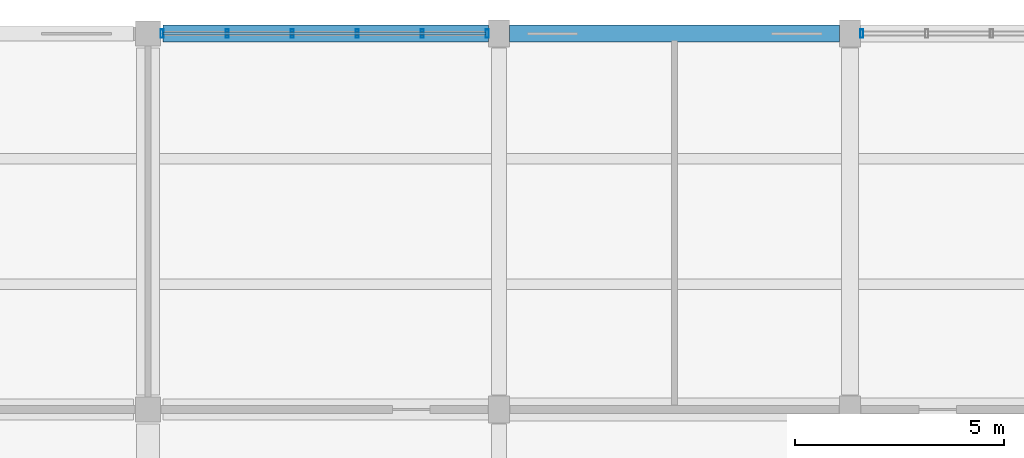
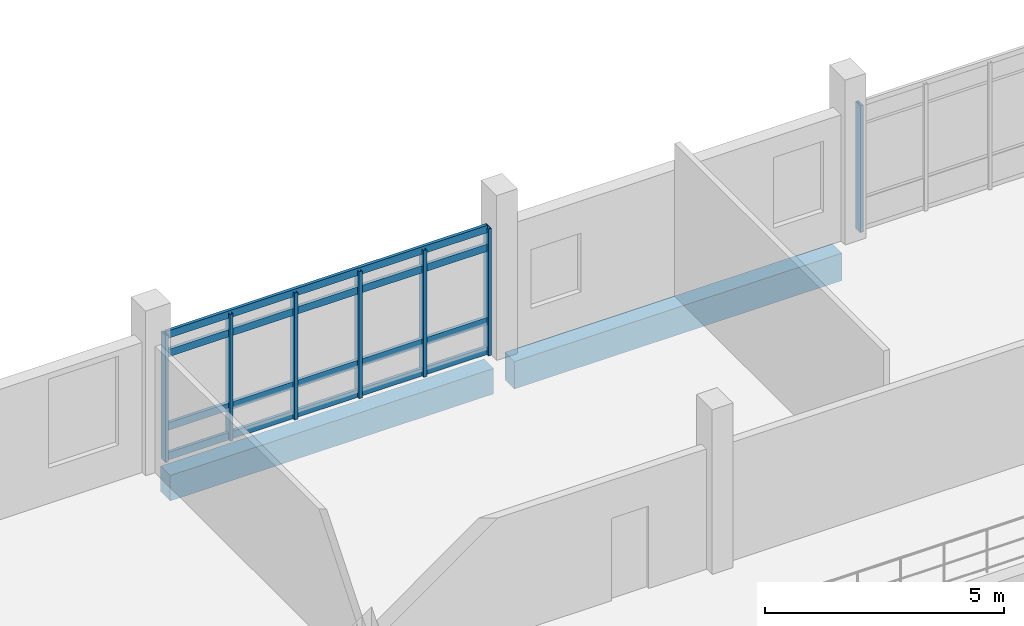
# One storey, part 61 of 101: 11 members, 2 beams, 2 elements without a shape of their own.
"""IFC4 building model written with IfcOpenShell, lengths in metres."""

import ifcopenshell
import ifcopenshell.guid

model = None  # the IFC model being written
_history = None  # IfcOwnerHistory: only IFC2X3 demands one
_inside = {}  # id of a spatial element -> (the spatial element, [elements in it])
_under = {}  # id of a project, library or spatial element -> (it, [spatial elements below it])
_declared = {}  # id of a project -> (the project, [libraries it declares])
_typed = {}  # id of a type object -> (the type object, [elements of that type])
_made_of = {}  # id of a material, layer set ... -> (it, [elements and type objects made of it])


def new_model(schema):
    """Start an empty IFC model of exactly this schema.

    Asked for "IFC4X3", IfcOpenShell would pick the latest addendum, in which some entities
    have other attributes; the version numbers below select the first issue.
    IFC2X3 requires an IfcOwnerHistory on every rooted entity: one is made here for all.
    """
    global model, _history
    if schema == "IFC4X3":
        model = ifcopenshell.file(schema_version=(4, 3, 0, 0))
    else:
        model = ifcopenshell.file(schema=schema)
    _inside.clear()
    _under.clear()
    _declared.clear()
    _typed.clear()
    _made_of.clear()
    _history = None
    if model.schema == "IFC2X3":
        org = make("IfcOrganization", Name="unknown")
        user = make(
            "IfcPersonAndOrganization",
            ThePerson=make("IfcPerson", FamilyName="unknown"),
            TheOrganization=org,
        )
        app = make(
            "IfcApplication",
            ApplicationDeveloper=org,
            Version="unknown",
            ApplicationFullName="unknown",
            ApplicationIdentifier="unknown",
        )
        _history = make(
            "IfcOwnerHistory",
            OwningUser=user,
            OwningApplication=app,
            ChangeAction="ADDED",
            CreationDate=0,
        )
    return model


def make(cls, **values):
    """One entity of the class cls with the attributes given. An attribute that is None is left unset."""
    return model.create_entity(
        cls, **{name: value for name, value in values.items() if value is not None}
    )


def rooted(cls, **values):
    """An entity with a GlobalId (a new one), such as an element, a storey or a relation."""
    return make(cls, GlobalId=ifcopenshell.guid.new(), OwnerHistory=_history, **values)


def si_unit(unit_type, name, prefix=None):
    """IfcSIUnit, for example si_unit("LENGTHUNIT", "METRE", prefix="MILLI")."""
    return make("IfcSIUnit", UnitType=unit_type, Prefix=prefix, Name=name)


def assignment(units):
    """IfcUnitAssignment: the units of a project."""
    return None if units is None else make("IfcUnitAssignment", Units=units)


def point(xyz):
    """IfcCartesianPoint."""
    return None if xyz is None else make("IfcCartesianPoint", Coordinates=xyz)


def direction(xyz):
    """IfcDirection."""
    return None if xyz is None else make("IfcDirection", DirectionRatios=xyz)


def frame(location, z_axis=None, x_axis=None):
    """IfcAxis2Placement3D, a coordinate frame: its origin and axes. An axis left out is left unset."""
    return make(
        "IfcAxis2Placement3D",
        Location=point(location),
        Axis=direction(z_axis),
        RefDirection=direction(x_axis),
    )


def frame_2d(location, x_axis=None):
    """IfcAxis2Placement2D, a coordinate frame in the plane: its origin and x axis."""
    return make(
        "IfcAxis2Placement2D", Location=point(location), RefDirection=direction(x_axis)
    )


def origin():
    """The frame at (0, 0, 0) with its axes left unset."""
    return frame((0.0, 0.0, 0.0))


def origin_2d():
    """The frame at (0, 0) in the plane with its x axis left unset."""
    return frame_2d((0.0, 0.0))


def place(relative_to, where):
    """IfcLocalPlacement: puts the frame where relative to a parent placement (None: the world)."""
    return make(
        "IfcLocalPlacement", PlacementRelTo=relative_to, RelativePlacement=where
    )


def context(
    kind, dimensions, precision=None, world=None, true_north=None, identifier=None
):
    """IfcGeometricRepresentationContext, for example the 3D "Model" context."""
    return make(
        "IfcGeometricRepresentationContext",
        ContextIdentifier=identifier,
        ContextType=kind,
        CoordinateSpaceDimension=dimensions,
        Precision=precision,
        WorldCoordinateSystem=world,
        TrueNorth=true_north,
    )


def subcontext(parent, identifier, kind, view, scale=None):
    """IfcGeometricRepresentationSubContext, for example "Body" below "Model"."""
    return make(
        "IfcGeometricRepresentationSubContext",
        ContextIdentifier=identifier,
        ContextType=kind,
        ParentContext=parent,
        TargetScale=scale,
        TargetView=view,
    )


def project(units=None, contexts=None):
    """IfcProject with its units and contexts."""
    return rooted(
        "IfcProject",
        Name="project",
        RepresentationContexts=contexts,
        UnitsInContext=assignment(units),
    )


def spatial(cls, under=None, at=None, **own):
    """A site, building, storey or space (cls), placed at a placement, below another one or the project."""
    s = rooted(cls, ObjectPlacement=at, **own)
    if under is not None:
        _under.setdefault(under.id(), (under, []))[1].append(s)
    return s


def profile(cls, at=None, kind="AREA", **sizes):
    """A parametric profile (cls). Its sizes go by their IFC names, for example OverallWidth=200.0."""
    return make(cls, ProfileType=kind, Position=at, **sizes)


def rectangle(**sizes):
    """IfcRectangleProfileDef."""
    return profile("IfcRectangleProfileDef", **sizes)


def hollow_rectangle(**sizes):
    """IfcRectangleHollowProfileDef."""
    return profile("IfcRectangleHollowProfileDef", **sizes)


def extrude(swept, where, along, depth):
    """IfcExtrudedAreaSolid: the profile swept, set in the frame where, extruded along a direction by depth."""
    return make(
        "IfcExtrudedAreaSolid",
        SweptArea=swept,
        Position=where,
        ExtrudedDirection=direction(along),
        Depth=depth,
    )


def shape(context_of_items, identifier, shape_type, items):
    """IfcShapeRepresentation: the items that make up one representation, for example the "Body"."""
    return make(
        "IfcShapeRepresentation",
        ContextOfItems=context_of_items,
        RepresentationIdentifier=identifier,
        RepresentationType=shape_type,
        Items=items,
    )


def material(Name=None, Category=None):
    """IfcMaterial."""
    return make("IfcMaterial", Name=Name, Category=Category)


def layer(
    of_material, thickness, ventilated=None, Name=None, Category=None, Priority=None
):
    """IfcMaterialLayer: one layer of a wall or slab, of a material (None: an air gap)."""
    return make(
        "IfcMaterialLayer",
        Material=of_material,
        LayerThickness=thickness,
        IsVentilated=ventilated,
        Name=Name,
        Category=Category,
        Priority=Priority,
    )


def layer_set(layers, Name=None):
    """IfcMaterialLayerSet."""
    return make("IfcMaterialLayerSet", MaterialLayers=layers, LayerSetName=Name)


def material_profile(
    of_material, cross_section, Name=None, Category=None, Priority=None
):
    """IfcMaterialProfile: a cross section and its material."""
    return make(
        "IfcMaterialProfile",
        Name=Name,
        Material=of_material,
        Profile=cross_section,
        Priority=Priority,
        Category=Category,
    )


def profile_set(profiles, Name=None, composite=None):
    """IfcMaterialProfileSet."""
    return make(
        "IfcMaterialProfileSet",
        Name=Name,
        MaterialProfiles=profiles,
        CompositeProfile=composite,
    )


def made_of(thing, what):
    """Note that an element or type object is made of a material, layer set ...; save() writes the relation."""
    if what is not None:
        _made_of.setdefault(what.id(), (what, []))[1].append(thing)
    return thing


def type_object(cls, material=None, **own):
    """A type object (cls), such as IfcWallType, which elements share."""
    return made_of(rooted(cls, **own), material)


def element(
    cls,
    number,
    at=None,
    inside=None,
    cuts=None,
    type_object=None,
    material=None,
    context=None,
    identifier="Body",
    shape_type=None,
    held_by="IfcProductDefinitionShape",
    body=None,
    shapes=None,
    **own,
):
    """One element of the class cls, such as IfcWall. Its Tag is "e" and its number.

    at: its placement. inside: the storey or other place that contains it. cuts: it is an
    opening in that element (IfcRelVoidsElement). A single representation is given by context,
    identifier, shape_type and body (its items); several are given by shapes. held_by: the class
    of the entity that holds the representations. save() writes the other relations.
    """
    e = rooted(cls, Tag="e%d" % number, ObjectPlacement=at, **own)
    if body is not None:
        shapes = [shape(context, identifier, shape_type, body)]
    if shapes is not None:
        e.Representation = make(held_by, Representations=shapes)
    if inside is not None:
        _inside.setdefault(inside.id(), (inside, []))[1].append(e)
    if cuts is not None:
        rooted(
            "IfcRelVoidsElement", RelatingBuildingElement=cuts, RelatedOpeningElement=e
        )
    if type_object is not None:
        _typed.setdefault(type_object.id(), (type_object, []))[1].append(e)
    return made_of(e, material)


def aggregate(whole, parts):
    """IfcRelAggregates: a whole, such as a stair, and the parts it consists of."""
    return rooted("IfcRelAggregates", RelatingObject=whole, RelatedObjects=parts)


def save(model, path):
    """Write the relations noted so far, then the file.

    IfcRelAggregates (storeys below a building ...), IfcRelContainedInSpatialStructure (elements
    in a storey), IfcRelDefinesByType, IfcRelAssociatesMaterial and IfcRelDeclares: one each for
    every whole, place, type object, material and project.
    """
    for whole, parts in _under.values():
        aggregate(whole, parts)
    for where, things in _inside.values():
        rooted(
            "IfcRelContainedInSpatialStructure",
            RelatedElements=things,
            RelatingStructure=where,
        )
    for kind, things in _typed.values():
        rooted("IfcRelDefinesByType", RelatedObjects=things, RelatingType=kind)
    for what, things in _made_of.values():
        rooted("IfcRelAssociatesMaterial", RelatedObjects=things, RelatingMaterial=what)
    for by, libraries in _declared.values():
        rooted("IfcRelDeclares", RelatingContext=by, RelatedDefinitions=libraries)
    model.write(path)


model = new_model("IFC4")

# Units and contexts
model_context = context("Model", 3, precision=1e-05, world=origin(), true_north=direction((0.0, 1.0)))
body_context = subcontext(model_context, "Body", "Model", "MODEL_VIEW")
ifc_project = project(units=[si_unit("LENGTHUNIT", "METRE"), si_unit("AREAUNIT", "SQUARE_METRE"), si_unit("VOLUMEUNIT", "CUBIC_METRE"), si_unit("PLANEANGLEUNIT", "RADIAN"), si_unit("MASSUNIT", "GRAM", prefix="KILO")], contexts=[model_context])

# Site, building, storey
site_placement = place(None, origin())
site = spatial("IfcSite", under=ifc_project, at=site_placement, CompositionType="ELEMENT")
building_placement = place(site_placement, origin())
building = spatial("IfcBuilding", under=site, at=building_placement, Name="Vireocrest Preparatory School", CompositionType="ELEMENT")
storey_placement = place(building_placement, frame((0.0, 0.0, 4.800048828125)))
storey = spatial("IfcBuildingStorey", under=building, at=storey_placement, Name="L01", CompositionType="ELEMENT", Elevation=4.800048828125)

# Curtain wall, members
ifc_material_1 = material(Name="Thermally broken aluminium EN AW-6063-T6", Category="aluminium")
ifc_layer = layer(ifc_material_1, 0.179931640625)
ifc_layer_set = layer_set([ifc_layer], Name="Thermally broken aluminium EN AW-6063-T6")
curtain_wall_type = type_object("IfcCurtainWallType", Name="North Street Curtain Wall 8400x4000", PredefinedType="USERDEFINED", material=ifc_layer_set)
curtain_wall_1_placement = place(storey_placement, origin())
curtain_wall_1 = element("IfcCurtainWall", 1, at=curtain_wall_1_placement, inside=storey, type_object=curtain_wall_type, Name="Curtain Wall CW05 CW_L01_CW05_0675_1128_048", ObjectType="CURTAIN WALL", PredefinedType="USERDEFINED")
ifc_material_profile_1 = material_profile(ifc_material_1, hollow_rectangle(XDim=0.074951171875, YDim=0.199951171875, WallThickness=0.0048828125, at=origin_2d()), Name="ALU 75x200x5")
ifc_profile_set_1 = profile_set([ifc_material_profile_1], Name="Thermally broken aluminium EN AW-6063-T6")
member_type_1 = type_object("IfcMemberType", Name="CW Mullion 75x200x5", PredefinedType="MULLION", material=ifc_profile_set_1)
member_1_placement = place(storey_placement, frame((67.534912109375, 112.800048828125, 0.0), z_axis=(0.0, 0.0, 1.0), x_axis=(1.0, 0.0, 0.0)))
member_1 = element("IfcMember", 2, at=member_1_placement, type_object=member_type_1, Name="CW Mullion ML3 CW_L01_CW05_0675_1128_048-1", PredefinedType="MULLION", context=body_context, shape_type="SweptSolid", body=[
    extrude(hollow_rectangle(XDim=0.074951171875, YDim=0.199951171875, WallThickness=0.0048828125, at=origin_2d()), origin(), (0.0, 0.0, 1.0), 3.23486328125),
])
member_2_placement = place(storey_placement, frame((69.091064453125, 112.800048828125, 0.0), z_axis=(0.0, 0.0, 1.0), x_axis=(1.0, 0.0, 0.0)))
member_2 = element("IfcMember", 3, at=member_2_placement, type_object=member_type_1, Name="CW Mullion ML3 CW_L01_CW05_0675_1128_048-2", PredefinedType="MULLION", context=body_context, shape_type="SweptSolid", body=[
    extrude(hollow_rectangle(XDim=0.074951171875, YDim=0.199951171875, WallThickness=0.0048828125, at=origin_2d()), origin(), (0.0, 0.0, 1.0), 3.23486328125),
])
member_3_placement = place(storey_placement, frame((70.64697265625, 112.800048828125, 0.0), z_axis=(0.0, 0.0, 1.0), x_axis=(1.0, 0.0, 0.0)))
member_3 = element("IfcMember", 4, at=member_3_placement, type_object=member_type_1, Name="CW Mullion ML3 CW_L01_CW05_0675_1128_048-3", PredefinedType="MULLION", context=body_context, shape_type="SweptSolid", body=[
    extrude(hollow_rectangle(XDim=0.074951171875, YDim=0.199951171875, WallThickness=0.0048828125, at=origin_2d()), origin(), (0.0, 0.0, 1.0), 3.23486328125),
])
member_4_placement = place(storey_placement, frame((72.202880859375, 112.800048828125, 0.0), z_axis=(0.0, 0.0, 1.0), x_axis=(1.0, 0.0, 0.0)))
member_4 = element("IfcMember", 5, at=member_4_placement, type_object=member_type_1, Name="CW Mullion ML3 CW_L01_CW05_0675_1128_048-4", PredefinedType="MULLION", context=body_context, shape_type="SweptSolid", body=[
    extrude(hollow_rectangle(XDim=0.074951171875, YDim=0.199951171875, WallThickness=0.0048828125, at=origin_2d()), origin(), (0.0, 0.0, 1.0), 3.23486328125),
])
member_5_placement = place(storey_placement, frame((73.759033203125, 112.800048828125, 0.0), z_axis=(0.0, 0.0, 1.0), x_axis=(1.0, 0.0, 0.0)))
member_5 = element("IfcMember", 6, at=member_5_placement, type_object=member_type_1, Name="CW Mullion ML3 CW_L01_CW05_0675_1128_048-5", PredefinedType="MULLION", context=body_context, shape_type="SweptSolid", body=[
    extrude(hollow_rectangle(XDim=0.074951171875, YDim=0.199951171875, WallThickness=0.0048828125, at=origin_2d()), origin(), (0.0, 0.0, 1.0), 3.23486328125),
])
member_6_placement = place(storey_placement, frame((75.31494140625, 112.800048828125, 0.0), z_axis=(0.0, 0.0, 1.0), x_axis=(1.0, 0.0, 0.0)))
member_6 = element("IfcMember", 7, at=member_6_placement, type_object=member_type_1, Name="CW Mullion ML3 CW_L01_CW05_0675_1128_048-6", PredefinedType="MULLION", context=body_context, shape_type="SweptSolid", body=[
    extrude(hollow_rectangle(XDim=0.074951171875, YDim=0.199951171875, WallThickness=0.0048828125, at=origin_2d()), origin(), (0.0, 0.0, 1.0), 3.23486328125),
])

# Curtain wall, member
curtain_wall_2_placement = place(storey_placement, origin())
curtain_wall_2 = element("IfcCurtainWall", 8, at=curtain_wall_2_placement, inside=storey, type_object=curtain_wall_type, Name="Curtain Wall CW05 CW_L01_CW05_0842_1128_048", ObjectType="CURTAIN WALL", PredefinedType="USERDEFINED")
member_7_placement = place(storey_placement, frame((84.284912109375, 112.800048828125, 0.0), z_axis=(0.0, 0.0, 1.0), x_axis=(1.0, 0.0, 0.0)))
member_7 = element("IfcMember", 9, at=member_7_placement, type_object=member_type_1, Name="CW Mullion ML3 CW_L01_CW05_0842_1128_048-1", PredefinedType="MULLION", context=body_context, shape_type="SweptSolid", body=[
    extrude(hollow_rectangle(XDim=0.074951171875, YDim=0.199951171875, WallThickness=0.0048828125, at=origin_2d()), origin(), (0.0, 0.0, 1.0), 3.23486328125),
])
aggregate(curtain_wall_2, [member_7])

# Member
ifc_material_profile_2 = material_profile(ifc_material_1, hollow_rectangle(XDim=0.074951171875, YDim=0.18994140625, WallThickness=0.00390625, at=origin_2d()), Name="ALU 75x190x4")
ifc_profile_set_2 = profile_set([ifc_material_profile_2], Name="Thermally broken aluminium EN AW-6063-T6")
member_type_2 = type_object("IfcMemberType", Name="CW Transom 75x190x4", PredefinedType="USERDEFINED", material=ifc_profile_set_2)
member_8_placement = place(storey_placement, frame((67.56005859375, 112.800048828125, 0.094970703125), z_axis=(1.0, 0.0, 0.0), x_axis=(0.0, 1.0, 0.0)))
member_8 = element("IfcMember", 10, at=member_8_placement, type_object=member_type_2, Name="CW Transom TR3 CW_L01_CW05_0675_1128_048-1", ObjectType="TRANSOM", PredefinedType="USERDEFINED", context=body_context, shape_type="SweptSolid", body=[
    extrude(hollow_rectangle(XDim=0.074951171875, YDim=0.18994140625, WallThickness=0.00390625, at=origin_2d()), origin(), (0.0, 0.0, 1.0), 7.72998046875),
])

member_9_placement = place(storey_placement, frame((67.56005859375, 112.800048828125, 0.849853515625), z_axis=(1.0, 0.0, 0.0), x_axis=(0.0, 1.0, 0.0)))
member_9 = element("IfcMember", 11, at=member_9_placement, type_object=member_type_2, Name="CW Transom TR3 CW_L01_CW05_0675_1128_048-2", ObjectType="TRANSOM", PredefinedType="USERDEFINED", context=body_context, shape_type="SweptSolid", body=[
    extrude(hollow_rectangle(XDim=0.074951171875, YDim=0.18994140625, WallThickness=0.00390625, at=origin_2d()), origin(), (0.0, 0.0, 1.0), 7.72998046875),
])

member_10_placement = place(storey_placement, frame((67.56005859375, 112.800048828125, 2.719970703125), z_axis=(1.0, 0.0, 0.0), x_axis=(0.0, 1.0, 0.0)))
member_10 = element("IfcMember", 12, at=member_10_placement, type_object=member_type_2, Name="CW Transom TR3 CW_L01_CW05_0675_1128_048-3", ObjectType="TRANSOM", PredefinedType="USERDEFINED", context=body_context, shape_type="SweptSolid", body=[
    extrude(hollow_rectangle(XDim=0.074951171875, YDim=0.18994140625, WallThickness=0.00390625, at=origin_2d()), origin(), (0.0, 0.0, 1.0), 7.72998046875),
])

member_11_placement = place(storey_placement, frame((67.56005859375, 112.800048828125, 3.195068359375), z_axis=(1.0, 0.0, 0.0), x_axis=(0.0, 1.0, 0.0)))
member_11 = element("IfcMember", 13, at=member_11_placement, type_object=member_type_2, Name="CW Transom TR3 CW_L01_CW05_0675_1128_048-4", ObjectType="TRANSOM", PredefinedType="USERDEFINED", context=body_context, shape_type="SweptSolid", body=[
    extrude(hollow_rectangle(XDim=0.074951171875, YDim=0.18994140625, WallThickness=0.00390625, at=origin_2d()), origin(), (0.0, 0.0, 1.0), 7.72998046875),
])

aggregate(curtain_wall_1, [member_1, member_2, member_3, member_4, member_5, member_6, member_8, member_9, member_10, member_11])

# Beams
ifc_material_2 = material(Name="Concrete 40 MPa", Category="concrete")
ifc_material_profile_3 = material_profile(ifc_material_2, rectangle(XDim=0.39990234375, YDim=0.699951171875, at=origin_2d()), Name="RC 400x700")
ifc_profile_set_3 = profile_set([ifc_material_profile_3], Name="Concrete 40 MPa")
beam_type_1 = type_object("IfcBeamType", Name="RC Corridor Girder 400x700", PredefinedType="BEAM", material=ifc_profile_set_3)
beam_1_placement = place(storey_placement, frame((75.85009765625, 112.800048828125, -0.630126953125), z_axis=(1.0, 0.0, 0.0), x_axis=(0.0, 1.0, 0.0)))
element("IfcBeam", 14, at=beam_1_placement, inside=storey, type_object=beam_type_1, Name="Primary Girder B08 L01-0366", PredefinedType="BEAM", context=body_context, shape_type="SweptSolid", body=[
    extrude(rectangle(XDim=0.39990234375, YDim=0.699951171875, at=origin_2d()), origin(), (0.0, 0.0, 1.0), 7.89990234375),
])
ifc_material_profile_4 = material_profile(ifc_material_2, rectangle(XDim=0.39990234375, YDim=0.64990234375, at=origin_2d()), Name="RC 400x650")
ifc_profile_set_4 = profile_set([ifc_material_profile_4], Name="Concrete 40 MPa")
beam_type_2 = type_object("IfcBeamType", Name="RC Laboratory Girder 400x650", PredefinedType="BEAM", material=ifc_profile_set_4)
beam_2_placement = place(storey_placement, frame((67.550048828125, 112.800048828125, -0.60498046875), z_axis=(1.0, 0.0, 0.0), x_axis=(0.0, 1.0, 0.0)))
element("IfcBeam", 15, at=beam_2_placement, inside=storey, type_object=beam_type_2, Name="Primary Girder B07 L01-0365", PredefinedType="BEAM", context=body_context, shape_type="SweptSolid", body=[
    extrude(rectangle(XDim=0.39990234375, YDim=0.64990234375, at=origin_2d()), origin(), (0.0, 0.0, 1.0), 7.800048828125),
])

save(model, "model.ifc")
